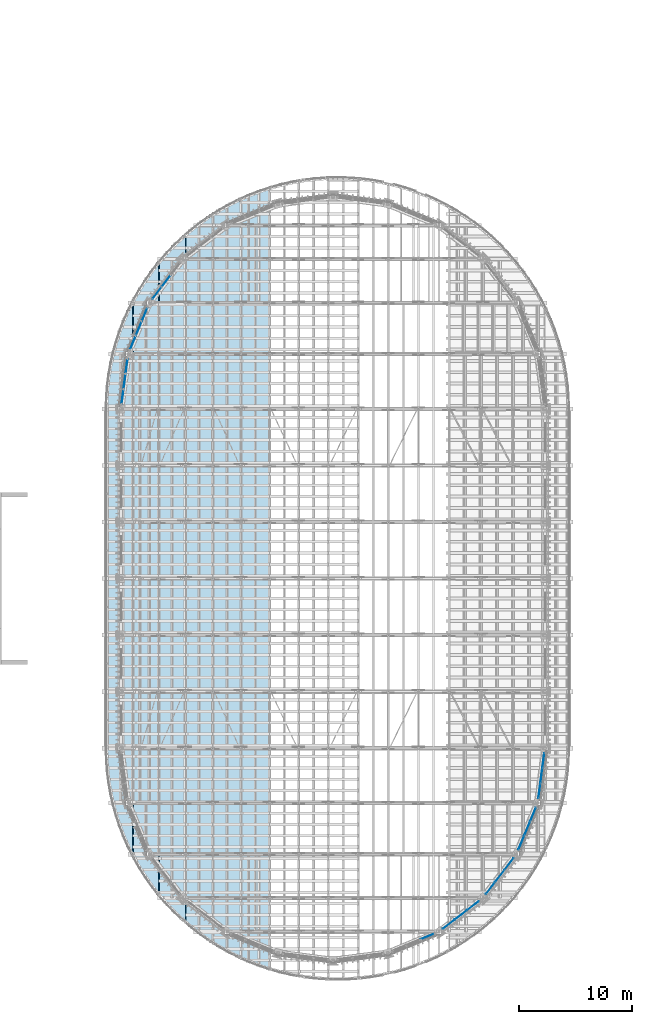
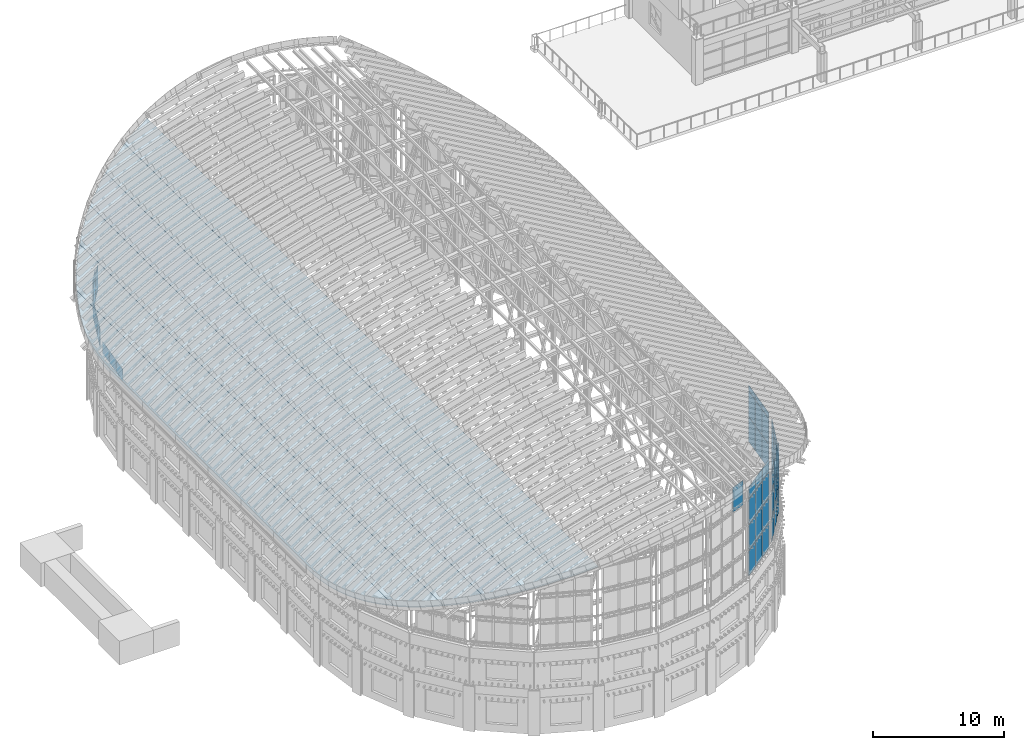
# One storey, part 47 of 105: 49 plates, 6 slabs, 8 elements without a shape of their own.
"""IFC4 building model written with IfcOpenShell, lengths in metres."""

from ifc_helpers import new_model, si_unit, direction, frame, origin, origin_2d, place, context, subcontext, project, spatial, polyline, rectangle, outline, extrude, material, layer, layer_set, type_object, element, aggregate, save


model = new_model("IFC4")

# Units and contexts
model_context = context("Model", 3, precision=1e-05, world=origin(), true_north=direction((0.0, 1.0)))
body_context = subcontext(model_context, "Body", "Model", "MODEL_VIEW")
ifc_project = project(units=[si_unit("LENGTHUNIT", "METRE"), si_unit("AREAUNIT", "SQUARE_METRE"), si_unit("VOLUMEUNIT", "CUBIC_METRE"), si_unit("PLANEANGLEUNIT", "RADIAN"), si_unit("MASSUNIT", "GRAM", prefix="KILO")], contexts=[model_context])

# Site, building, storey
site_placement = place(None, origin())
site = spatial("IfcSite", under=ifc_project, at=site_placement, CompositionType="ELEMENT")
building_placement = place(site_placement, origin())
building = spatial("IfcBuilding", under=site, at=building_placement, Name="Wasatch Bagh Community Centre", CompositionType="ELEMENT")
storey_placement = place(building_placement, frame((0.0, 0.0, 16.800048828125)))
storey = spatial("IfcBuildingStorey", under=building, at=storey_placement, Name="L04", CompositionType="ELEMENT", Elevation=16.800048828125)

# Curtain wall, plates
ifc_material_1 = material(Name="Aluminium curtain wall frame with low-iron glass", Category="aluminium")
ifc_layer_1 = layer(ifc_material_1, 0.10009765625)
ifc_layer_set_1 = layer_set([ifc_layer_1], Name="Aluminium curtain wall frame with low-iron glass")
curtain_wall_type_1 = type_object("IfcCurtainWallType", Name="MH end screen curtain wall 7", PredefinedType="NOTDEFINED", material=ifc_layer_set_1)
curtain_wall_1_placement = place(storey_placement, origin())
curtain_wall_1 = element("IfcCurtainWall", 1, at=curtain_wall_1_placement, inside=storey, type_object=curtain_wall_type_1, Name="End screen 9", PredefinedType="NOTDEFINED")
ifc_material_2 = material(Name="Low-iron insulated glass", Category="glass")
ifc_layer_2 = layer(ifc_material_2, 0.028076171875)
ifc_layer_set_2 = layer_set([ifc_layer_2], Name="Low-iron insulated glass")
plate_type_1 = type_object("IfcPlateType", Name="MH end screen panel 28", PredefinedType="CURTAIN_PANEL", material=ifc_layer_set_2)
plate_1_placement = place(storey_placement, frame((47.316650390625, 20.251953125, 7.760009765625), z_axis=(0.0, 0.0, 1.0), x_axis=(0.79335334027, 0.608761429036, 0.0)))
plate_1 = element("IfcPlate", 2, at=plate_1_placement, type_object=plate_type_1, Name="MH-CW7 panel 2.1", PredefinedType="CURTAIN_PANEL", context=body_context, shape_type="SweptSolid", body=[
    extrude(rectangle(XDim=1.31396484375, YDim=0.028076171875, at=origin_2d()), origin(), (0.0, 0.0, 1.0), 2.31005859375),
])
plate_2_placement = place(storey_placement, frame((47.316650390625, 20.251953125, 10.1298828125), z_axis=(0.0, 0.0, 1.0), x_axis=(0.79335334027, 0.608761429036, 0.0)))
plate_2 = element("IfcPlate", 3, at=plate_2_placement, type_object=plate_type_1, Name="MH-CW7 panel 2.2", PredefinedType="CURTAIN_PANEL", context=body_context, shape_type="SweptSolid", body=[
    extrude(rectangle(XDim=1.31396484375, YDim=0.028076171875, at=origin_2d()), origin(), (0.0, 0.0, 1.0), 2.340087890625),
])

ifc_layer_3 = layer(ifc_material_1, 0.10009765625)
ifc_layer_set_3 = layer_set([ifc_layer_3], Name="Aluminium curtain wall frame with low-iron glass")
curtain_wall_type_2 = type_object("IfcCurtainWallType", Name="MH end screen curtain wall 5", PredefinedType="NOTDEFINED", material=ifc_layer_set_3)
curtain_wall_2_placement = place(storey_placement, origin())
curtain_wall_2 = element("IfcCurtainWall", 4, at=curtain_wall_2_placement, inside=storey, type_object=curtain_wall_type_2, Name="End screen 10", PredefinedType="NOTDEFINED")
plate_3_placement = place(storey_placement, frame((50.748046875, 23.683349609375, 7.760009765625), z_axis=(0.0, 0.0, 1.0), x_axis=(0.608761429036, 0.79335334027, 0.0)))
plate_3 = element("IfcPlate", 5, at=plate_3_placement, type_object=plate_type_1, Name="MH-CW5 panel 2.1", PredefinedType="CURTAIN_PANEL", context=body_context, shape_type="SweptSolid", body=[
    extrude(rectangle(XDim=1.31396484375, YDim=0.028076171875, at=origin_2d()), origin(), (0.0, 0.0, 1.0), 2.31005859375),
])
plate_4_placement = place(storey_placement, frame((50.748046875, 23.683349609375, 10.1298828125), z_axis=(0.0, 0.0, 1.0), x_axis=(0.608761429036, 0.79335334027, 0.0)))
plate_4 = element("IfcPlate", 6, at=plate_4_placement, type_object=plate_type_1, Name="MH-CW5 panel 2.2", PredefinedType="CURTAIN_PANEL", context=body_context, shape_type="SweptSolid", body=[
    extrude(rectangle(XDim=1.31396484375, YDim=0.028076171875, at=origin_2d()), origin(), (0.0, 0.0, 1.0), 2.340087890625),
])
plate_5_placement = place(storey_placement, frame((50.748046875, 23.683349609375, 12.530029296875), z_axis=(0.0, 0.0, 1.0), x_axis=(0.608761429036, 0.79335334027, 0.0)))
plate_5 = element("IfcPlate", 7, at=plate_5_placement, type_object=plate_type_1, Name="MH-CW5 panel 2.3", PredefinedType="CURTAIN_PANEL", context=body_context, shape_type="SweptSolid", body=[
    extrude(rectangle(XDim=1.31396484375, YDim=0.028076171875, at=origin_2d()), origin(), (0.0, 0.0, 1.0), 1.7099609375),
])

ifc_layer_4 = layer(ifc_material_1, 0.10009765625)
ifc_layer_set_4 = layer_set([ifc_layer_4], Name="Aluminium curtain wall frame with low-iron glass")
curtain_wall_type_3 = type_object("IfcCurtainWallType", Name="MH end screen curtain wall 9", PredefinedType="NOTDEFINED", material=ifc_layer_set_4)
curtain_wall_3_placement = place(storey_placement, origin())
curtain_wall_3 = element("IfcCurtainWall", 8, at=curtain_wall_3_placement, inside=storey, type_object=curtain_wall_type_3, Name="End screen 11", PredefinedType="NOTDEFINED")
plate_6_placement = place(storey_placement, frame((53.174560546875, 27.885986328125, 7.760009765625), z_axis=(0.0, 0.0, 1.0), x_axis=(0.382683432188, 0.923879532585, 0.0)))
plate_6 = element("IfcPlate", 9, at=plate_6_placement, type_object=plate_type_1, Name="MH-CW9 panel 2.1", PredefinedType="CURTAIN_PANEL", context=body_context, shape_type="SweptSolid", body=[
    extrude(rectangle(XDim=1.31396484375, YDim=0.028076171875, at=origin_2d()), origin(), (0.0, 0.0, 1.0), 2.31005859375),
])
plate_7_placement = place(storey_placement, frame((53.174560546875, 27.885986328125, 10.1298828125), z_axis=(0.0, 0.0, 1.0), x_axis=(0.382683432188, 0.923879532585, 0.0)))
plate_7 = element("IfcPlate", 10, at=plate_7_placement, type_object=plate_type_1, Name="MH-CW9 panel 2.2", PredefinedType="CURTAIN_PANEL", context=body_context, shape_type="SweptSolid", body=[
    extrude(rectangle(XDim=1.31396484375, YDim=0.028076171875, at=origin_2d()), origin(), (0.0, 0.0, 1.0), 2.340087890625),
])
plate_8_placement = place(storey_placement, frame((53.174560546875, 27.885986328125, 12.52978515625), z_axis=(0.0, 0.0, 1.0), x_axis=(0.382683432188, 0.923879532585, 0.0)))
plate_8 = element("IfcPlate", 11, at=plate_8_placement, type_object=plate_type_1, Name="MH-CW9 panel 2.3", PredefinedType="CURTAIN_PANEL", context=body_context, shape_type="SweptSolid", body=[
    extrude(rectangle(XDim=1.31396484375, YDim=0.028076171875, at=origin_2d()), origin(), (0.0, 0.0, 1.0), 0.510009765625),
])

curtain_wall_4_placement = place(storey_placement, origin())
curtain_wall_4 = element("IfcCurtainWall", 12, at=curtain_wall_4_placement, inside=storey, type_object=curtain_wall_type_3, Name="End screen 12", PredefinedType="NOTDEFINED")
plate_9_placement = place(storey_placement, frame((54.4306640625, 32.573486328125, 7.760009765625), z_axis=(0.0, 0.0, 1.0), x_axis=(0.13052619222, 0.991444861374, 0.0)))
plate_9 = element("IfcPlate", 13, at=plate_9_placement, type_object=plate_type_1, Name="MH-CW9 panel 2.1", PredefinedType="CURTAIN_PANEL", context=body_context, shape_type="SweptSolid", body=[
    extrude(rectangle(XDim=1.31396484375, YDim=0.028076171875, at=origin_2d()), origin(), (0.0, 0.0, 1.0), 2.31005859375),
])
plate_10_placement = place(storey_placement, frame((54.4306640625, 32.573486328125, 10.1298828125), z_axis=(0.0, 0.0, 1.0), x_axis=(0.13052619222, 0.991444861374, 0.0)))
plate_10 = element("IfcPlate", 14, at=plate_10_placement, type_object=plate_type_1, Name="MH-CW9 panel 2.2", PredefinedType="CURTAIN_PANEL", context=body_context, shape_type="SweptSolid", body=[
    extrude(rectangle(XDim=1.31396484375, YDim=0.028076171875, at=origin_2d()), origin(), (0.0, 0.0, 1.0), 2.340087890625),
])
plate_11_placement = place(storey_placement, frame((54.4306640625, 32.573486328125, 12.52978515625), z_axis=(0.0, 0.0, 1.0), x_axis=(0.13052619222, 0.991444861374, 0.0)))
plate_11 = element("IfcPlate", 15, at=plate_11_placement, type_object=plate_type_1, Name="MH-CW9 panel 2.3", PredefinedType="CURTAIN_PANEL", context=body_context, shape_type="SweptSolid", body=[
    extrude(rectangle(XDim=1.31396484375, YDim=0.028076171875, at=origin_2d()), origin(), (0.0, 0.0, 1.0), 0.510009765625),
])
plate_12_placement = place(storey_placement, frame((54.60791015625, 33.9208984375, 7.760009765625), z_axis=(0.0, 0.0, 1.0), x_axis=(0.13052619222, 0.991444861374, 0.0)))
plate_12 = element("IfcPlate", 16, at=plate_12_placement, type_object=plate_type_1, Name="MH-CW9 panel 3.1", PredefinedType="CURTAIN_PANEL", context=body_context, shape_type="SweptSolid", body=[
    extrude(rectangle(XDim=1.283935546875, YDim=0.028076171875, at=origin_2d()), origin(), (0.0, 0.0, 1.0), 2.31005859375),
])
plate_13_placement = place(storey_placement, frame((54.60791015625, 33.9208984375, 10.1298828125), z_axis=(0.0, 0.0, 1.0), x_axis=(0.13052619222, 0.991444861374, 0.0)))
plate_13 = element("IfcPlate", 17, at=plate_13_placement, type_object=plate_type_1, Name="MH-CW9 panel 3.2", PredefinedType="CURTAIN_PANEL", context=body_context, shape_type="SweptSolid", body=[
    extrude(rectangle(XDim=1.283935546875, YDim=0.028076171875, at=origin_2d()), origin(), (0.0, 0.0, 1.0), 2.340087890625),
])
plate_14_placement = place(storey_placement, frame((54.60791015625, 33.9208984375, 12.52978515625), z_axis=(0.0, 0.0, 1.0), x_axis=(0.13052619222, 0.991444861374, 0.0)))
plate_14 = element("IfcPlate", 18, at=plate_14_placement, type_object=plate_type_1, Name="MH-CW9 panel 3.3", PredefinedType="CURTAIN_PANEL", context=body_context, shape_type="SweptSolid", body=[
    extrude(rectangle(XDim=1.283935546875, YDim=0.028076171875, at=origin_2d()), origin(), (0.0, 0.0, 1.0), 0.510009765625),
])

# Curtain wall, plate
ifc_layer_5 = layer(ifc_material_1, 0.10009765625)
ifc_layer_set_5 = layer_set([ifc_layer_5], Name="Aluminium curtain wall frame with low-iron glass")
curtain_wall_type_4 = type_object("IfcCurtainWallType", Name="MH end screen curtain wall 3", PredefinedType="NOTDEFINED", material=ifc_layer_set_5)
curtain_wall_5_placement = place(storey_placement, origin())
curtain_wall_5 = element("IfcCurtainWall", 19, at=curtain_wall_5_placement, inside=storey, type_object=curtain_wall_type_4, Name="End screen 28", PredefinedType="NOTDEFINED")
plate_15_placement = place(storey_placement, frame((21.251953125, 76.316650390625, 7.760009765625), z_axis=(0.0, 0.0, 1.0), x_axis=(-0.608761429036, -0.79335334027, 0.0)))
plate_15 = element("IfcPlate", 20, at=plate_15_placement, type_object=plate_type_1, Name="MH-CW3 panel 2.1", PredefinedType="CURTAIN_PANEL", context=body_context, shape_type="SweptSolid", body=[
    extrude(rectangle(XDim=1.31396484375, YDim=0.028076171875, at=origin_2d()), origin(), (0.0, 0.0, 1.0), 2.31005859375),
])

ifc_layer_6 = layer(ifc_material_1, 0.10009765625)
ifc_layer_set_6 = layer_set([ifc_layer_6], Name="Aluminium curtain wall frame with low-iron glass")
curtain_wall_type_5 = type_object("IfcCurtainWallType", Name="MH end screen curtain wall 2", PredefinedType="NOTDEFINED", material=ifc_layer_set_6)
curtain_wall_6_placement = place(storey_placement, origin())
curtain_wall_6 = element("IfcCurtainWall", 21, at=curtain_wall_6_placement, inside=storey, type_object=curtain_wall_type_5, Name="End screen 29", PredefinedType="NOTDEFINED")
plate_16_placement = place(storey_placement, frame((18.825439453125, 72.114013671875, 7.759765625), z_axis=(0.0, 0.0, 1.0), x_axis=(-0.382683432188, -0.923879532585, 0.0)))
plate_16 = element("IfcPlate", 22, at=plate_16_placement, type_object=plate_type_1, Name="MH-CW2 panel 2.1", PredefinedType="CURTAIN_PANEL", context=body_context, shape_type="SweptSolid", body=[
    extrude(rectangle(XDim=1.31396484375, YDim=0.028076171875, at=origin_2d()), origin(), (0.0, 0.0, 1.0), 1.679931640625),
])

# Curtain wall, plates
ifc_layer_7 = layer(ifc_material_1, 0.10009765625)
ifc_layer_set_7 = layer_set([ifc_layer_7], Name="Aluminium curtain wall frame with low-iron glass")
curtain_wall_type_6 = type_object("IfcCurtainWallType", Name="MH end screen curtain wall 1", PredefinedType="NOTDEFINED", material=ifc_layer_set_7)
curtain_wall_7_placement = place(storey_placement, origin())
curtain_wall_7 = element("IfcCurtainWall", 23, at=curtain_wall_7_placement, inside=storey, type_object=curtain_wall_type_6, Name="End screen 30", PredefinedType="NOTDEFINED")
plate_17_placement = place(storey_placement, frame((17.5693359375, 67.426513671875, 7.760009765625), z_axis=(0.0, 0.0, 1.0), x_axis=(-0.13052619222, -0.991444861374, 0.0)))
plate_17 = element("IfcPlate", 24, at=plate_17_placement, type_object=plate_type_1, Name="MH-CW1 panel 2.1", PredefinedType="CURTAIN_PANEL", context=body_context, shape_type="SweptSolid", body=[
    extrude(rectangle(XDim=1.31396484375, YDim=0.028076171875, at=origin_2d()), origin(), (0.0, 0.0, 1.0), 1.080078125),
])
plate_18_placement = place(storey_placement, frame((17.39208984375, 66.0791015625, 7.760009765625), z_axis=(0.0, 0.0, 1.0), x_axis=(-0.13052619222, -0.991444861374, 0.0)))
plate_18 = element("IfcPlate", 25, at=plate_18_placement, type_object=plate_type_1, Name="MH-CW1 panel 3.1", PredefinedType="CURTAIN_PANEL", context=body_context, shape_type="SweptSolid", body=[
    extrude(rectangle(XDim=1.283935546875, YDim=0.028076171875, at=origin_2d()), origin(), (0.0, 0.0, 1.0), 1.080078125),
])

# Curtain wall, plate
ifc_layer_8 = layer(ifc_material_1, 0.10009765625)
ifc_layer_set_8 = layer_set([ifc_layer_8], Name="Aluminium curtain wall frame with low-iron glass")
curtain_wall_type_7 = type_object("IfcCurtainWallType", Name="MH end screen curtain wall 8", PredefinedType="NOTDEFINED", material=ifc_layer_set_8)
curtain_wall_8_placement = place(storey_placement, origin())
curtain_wall_8 = element("IfcCurtainWall", 26, at=curtain_wall_8_placement, inside=storey, type_object=curtain_wall_type_7, Name="End screen 8", PredefinedType="NOTDEFINED")
ifc_material_3 = material(Name="Insulated aluminium spandrel panel", Category="aluminium")
ifc_layer_9 = layer(ifc_material_3, 0.0400390625)
ifc_layer_set_9 = layer_set([ifc_layer_9], Name="Insulated aluminium spandrel panel")
plate_type_2 = type_object("IfcPlateType", Name="MH end screen spandrel panel 40", PredefinedType="CURTAIN_PANEL", material=ifc_layer_set_9)
plate_19_placement = place(storey_placement, frame((44.369384765625, 18.345458984375, 14.929931640625), z_axis=(0.0, 0.0, 1.0), x_axis=(0.923879532585, 0.382683432188, 0.0)))
plate_19 = element("IfcPlate", 27, at=plate_19_placement, type_object=plate_type_2, Name="MH-CW8 spandrel 3.4", PredefinedType="CURTAIN_PANEL", context=body_context, shape_type="SweptSolid", body=[
    extrude(rectangle(XDim=1.283935546875, YDim=0.028076171875, at=origin_2d()), origin(), (0.0, 0.0, 1.0), 2.31005859375),
])
aggregate(curtain_wall_8, [plate_19])

# Plate
plate_20_placement = place(storey_placement, frame((46.238525390625, 19.424560546875, 7.760009765625), z_axis=(0.0, 0.0, 1.0), x_axis=(0.79335334027, 0.608761429036, 0.0)))
plate_20 = element("IfcPlate", 28, at=plate_20_placement, type_object=plate_type_2, Name="MH-CW7 spandrel 1.1", PredefinedType="CURTAIN_PANEL", context=body_context, shape_type="SweptSolid", body=[
    extrude(rectangle(XDim=1.283935546875, YDim=0.028076171875, at=origin_2d()), origin(), (0.0, 0.0, 1.0), 2.31005859375),
])

plate_21_placement = place(storey_placement, frame((46.238525390625, 19.424560546875, 10.1298828125), z_axis=(0.0, 0.0, 1.0), x_axis=(0.79335334027, 0.608761429036, 0.0)))
plate_21 = element("IfcPlate", 29, at=plate_21_placement, type_object=plate_type_2, Name="MH-CW7 spandrel 1.2", PredefinedType="CURTAIN_PANEL", context=body_context, shape_type="SweptSolid", body=[
    extrude(rectangle(XDim=1.283935546875, YDim=0.028076171875, at=origin_2d()), origin(), (0.0, 0.0, 1.0), 2.340087890625),
])

plate_22_placement = place(storey_placement, frame((46.238525390625, 19.424560546875, 12.52978515625), z_axis=(0.0, 0.0, 1.0), x_axis=(0.79335334027, 0.608761429036, 0.0)))
plate_22 = element("IfcPlate", 30, at=plate_22_placement, type_object=plate_type_2, Name="MH-CW7 spandrel 1.3", PredefinedType="CURTAIN_PANEL", context=body_context, shape_type="SweptSolid", body=[
    extrude(rectangle(XDim=1.283935546875, YDim=0.028076171875, at=origin_2d()), origin(), (0.0, 0.0, 1.0), 2.340087890625),
])

plate_23_placement = place(storey_placement, frame((46.238525390625, 19.424560546875, 14.9296875), z_axis=(0.0, 0.0, 1.0), x_axis=(0.79335334027, 0.608761429036, 0.0)))
plate_23 = element("IfcPlate", 31, at=plate_23_placement, type_object=plate_type_2, Name="MH-CW7 spandrel 1.4", PredefinedType="CURTAIN_PANEL", context=body_context, shape_type="SweptSolid", body=[
    extrude(rectangle(XDim=1.283935546875, YDim=0.028076171875, at=origin_2d()), origin(), (0.0, 0.0, 1.0), 1.110107421875),
])

plate_24_placement = place(storey_placement, frame((47.316650390625, 20.251953125, 12.52978515625), z_axis=(0.0, 0.0, 1.0), x_axis=(0.79335334027, 0.608761429036, 0.0)))
plate_24 = element("IfcPlate", 32, at=plate_24_placement, type_object=plate_type_2, Name="MH-CW7 spandrel 2.3", PredefinedType="CURTAIN_PANEL", context=body_context, shape_type="SweptSolid", body=[
    extrude(rectangle(XDim=1.31396484375, YDim=0.028076171875, at=origin_2d()), origin(), (0.0, 0.0, 1.0), 2.340087890625),
])

plate_25_placement = place(storey_placement, frame((47.316650390625, 20.251953125, 14.9296875), z_axis=(0.0, 0.0, 1.0), x_axis=(0.79335334027, 0.608761429036, 0.0)))
plate_25 = element("IfcPlate", 33, at=plate_25_placement, type_object=plate_type_2, Name="MH-CW7 spandrel 2.4", PredefinedType="CURTAIN_PANEL", context=body_context, shape_type="SweptSolid", body=[
    extrude(rectangle(XDim=1.31396484375, YDim=0.028076171875, at=origin_2d()), origin(), (0.0, 0.0, 1.0), 1.110107421875),
])

plate_26_placement = place(storey_placement, frame((48.394775390625, 21.0791015625, 7.760009765625), z_axis=(0.0, 0.0, 1.0), x_axis=(0.79335334027, 0.608761429036, 0.0)))
plate_26 = element("IfcPlate", 34, at=plate_26_placement, type_object=plate_type_2, Name="MH-CW7 spandrel 3.1", PredefinedType="CURTAIN_PANEL", context=body_context, shape_type="SweptSolid", body=[
    extrude(rectangle(XDim=1.283935546875, YDim=0.028076171875, at=origin_2d()), origin(), (0.0, 0.0, 1.0), 2.31005859375),
])

plate_27_placement = place(storey_placement, frame((48.394775390625, 21.0791015625, 10.1298828125), z_axis=(0.0, 0.0, 1.0), x_axis=(0.79335334027, 0.608761429036, 0.0)))
plate_27 = element("IfcPlate", 35, at=plate_27_placement, type_object=plate_type_2, Name="MH-CW7 spandrel 3.2", PredefinedType="CURTAIN_PANEL", context=body_context, shape_type="SweptSolid", body=[
    extrude(rectangle(XDim=1.283935546875, YDim=0.028076171875, at=origin_2d()), origin(), (0.0, 0.0, 1.0), 2.340087890625),
])

plate_28_placement = place(storey_placement, frame((48.394775390625, 21.0791015625, 12.52978515625), z_axis=(0.0, 0.0, 1.0), x_axis=(0.79335334027, 0.608761429036, 0.0)))
plate_28 = element("IfcPlate", 36, at=plate_28_placement, type_object=plate_type_2, Name="MH-CW7 spandrel 3.3", PredefinedType="CURTAIN_PANEL", context=body_context, shape_type="SweptSolid", body=[
    extrude(rectangle(XDim=1.283935546875, YDim=0.028076171875, at=origin_2d()), origin(), (0.0, 0.0, 1.0), 2.340087890625),
])

plate_29_placement = place(storey_placement, frame((48.394775390625, 21.0791015625, 14.9296875), z_axis=(0.0, 0.0, 1.0), x_axis=(0.79335334027, 0.608761429036, 0.0)))
plate_29 = element("IfcPlate", 37, at=plate_29_placement, type_object=plate_type_2, Name="MH-CW7 spandrel 3.4", PredefinedType="CURTAIN_PANEL", context=body_context, shape_type="SweptSolid", body=[
    extrude(rectangle(XDim=1.283935546875, YDim=0.028076171875, at=origin_2d()), origin(), (0.0, 0.0, 1.0), 1.110107421875),
])

aggregate(curtain_wall_1, [plate_20, plate_21, plate_22, plate_23, plate_1, plate_2, plate_24, plate_25, plate_26, plate_27, plate_28, plate_29])

plate_30_placement = place(storey_placement, frame((49.9208984375, 22.605224609375, 7.760009765625), z_axis=(0.0, 0.0, 1.0), x_axis=(0.608761429036, 0.79335334027, 0.0)))
plate_30 = element("IfcPlate", 38, at=plate_30_placement, type_object=plate_type_2, Name="MH-CW5 spandrel 1.1", PredefinedType="CURTAIN_PANEL", context=body_context, shape_type="SweptSolid", body=[
    extrude(rectangle(XDim=1.283935546875, YDim=0.028076171875, at=origin_2d()), origin(), (0.0, 0.0, 1.0), 2.31005859375),
])

plate_31_placement = place(storey_placement, frame((49.9208984375, 22.605224609375, 10.1298828125), z_axis=(0.0, 0.0, 1.0), x_axis=(0.608761429036, 0.79335334027, 0.0)))
plate_31 = element("IfcPlate", 39, at=plate_31_placement, type_object=plate_type_2, Name="MH-CW5 spandrel 1.2", PredefinedType="CURTAIN_PANEL", context=body_context, shape_type="SweptSolid", body=[
    extrude(rectangle(XDim=1.283935546875, YDim=0.028076171875, at=origin_2d()), origin(), (0.0, 0.0, 1.0), 2.340087890625),
])

plate_32_placement = place(storey_placement, frame((49.9208984375, 22.605224609375, 12.530029296875), z_axis=(0.0, 0.0, 1.0), x_axis=(0.608761429036, 0.79335334027, 0.0)))
plate_32 = element("IfcPlate", 40, at=plate_32_placement, type_object=plate_type_2, Name="MH-CW5 spandrel 1.3", PredefinedType="CURTAIN_PANEL", context=body_context, shape_type="SweptSolid", body=[
    extrude(rectangle(XDim=1.283935546875, YDim=0.028076171875, at=origin_2d()), origin(), (0.0, 0.0, 1.0), 1.7099609375),
])

plate_33_placement = place(storey_placement, frame((51.575439453125, 24.761474609375, 7.760009765625), z_axis=(0.0, 0.0, 1.0), x_axis=(0.608761429036, 0.79335334027, 0.0)))
plate_33 = element("IfcPlate", 41, at=plate_33_placement, type_object=plate_type_2, Name="MH-CW5 spandrel 3.1", PredefinedType="CURTAIN_PANEL", context=body_context, shape_type="SweptSolid", body=[
    extrude(rectangle(XDim=1.283935546875, YDim=0.028076171875, at=origin_2d()), origin(), (0.0, 0.0, 1.0), 2.31005859375),
])

plate_34_placement = place(storey_placement, frame((51.575439453125, 24.761474609375, 10.1298828125), z_axis=(0.0, 0.0, 1.0), x_axis=(0.608761429036, 0.79335334027, 0.0)))
plate_34 = element("IfcPlate", 42, at=plate_34_placement, type_object=plate_type_2, Name="MH-CW5 spandrel 3.2", PredefinedType="CURTAIN_PANEL", context=body_context, shape_type="SweptSolid", body=[
    extrude(rectangle(XDim=1.283935546875, YDim=0.028076171875, at=origin_2d()), origin(), (0.0, 0.0, 1.0), 2.340087890625),
])

plate_35_placement = place(storey_placement, frame((51.575439453125, 24.761474609375, 12.530029296875), z_axis=(0.0, 0.0, 1.0), x_axis=(0.608761429036, 0.79335334027, 0.0)))
plate_35 = element("IfcPlate", 43, at=plate_35_placement, type_object=plate_type_2, Name="MH-CW5 spandrel 3.3", PredefinedType="CURTAIN_PANEL", context=body_context, shape_type="SweptSolid", body=[
    extrude(rectangle(XDim=1.283935546875, YDim=0.028076171875, at=origin_2d()), origin(), (0.0, 0.0, 1.0), 1.7099609375),
])

aggregate(curtain_wall_2, [plate_30, plate_31, plate_32, plate_3, plate_4, plate_5, plate_33, plate_34, plate_35])

plate_36_placement = place(storey_placement, frame((52.654541015625, 26.630615234375, 7.760009765625), z_axis=(0.0, 0.0, 1.0), x_axis=(0.382683432188, 0.923879532585, 0.0)))
plate_36 = element("IfcPlate", 44, at=plate_36_placement, type_object=plate_type_2, Name="MH-CW9 spandrel 1.1", PredefinedType="CURTAIN_PANEL", context=body_context, shape_type="SweptSolid", body=[
    extrude(rectangle(XDim=1.283935546875, YDim=0.028076171875, at=origin_2d()), origin(), (0.0, 0.0, 1.0), 2.31005859375),
])

plate_37_placement = place(storey_placement, frame((52.654541015625, 26.630615234375, 10.1298828125), z_axis=(0.0, 0.0, 1.0), x_axis=(0.382683432188, 0.923879532585, 0.0)))
plate_37 = element("IfcPlate", 45, at=plate_37_placement, type_object=plate_type_2, Name="MH-CW9 spandrel 1.2", PredefinedType="CURTAIN_PANEL", context=body_context, shape_type="SweptSolid", body=[
    extrude(rectangle(XDim=1.283935546875, YDim=0.028076171875, at=origin_2d()), origin(), (0.0, 0.0, 1.0), 2.340087890625),
])

plate_38_placement = place(storey_placement, frame((52.654541015625, 26.630615234375, 12.52978515625), z_axis=(0.0, 0.0, 1.0), x_axis=(0.382683432188, 0.923879532585, 0.0)))
plate_38 = element("IfcPlate", 46, at=plate_38_placement, type_object=plate_type_2, Name="MH-CW9 spandrel 1.3", PredefinedType="CURTAIN_PANEL", context=body_context, shape_type="SweptSolid", body=[
    extrude(rectangle(XDim=1.283935546875, YDim=0.028076171875, at=origin_2d()), origin(), (0.0, 0.0, 1.0), 0.510009765625),
])

plate_39_placement = place(storey_placement, frame((53.694580078125, 29.1416015625, 7.760009765625), z_axis=(0.0, 0.0, 1.0), x_axis=(0.382683432188, 0.923879532585, 0.0)))
plate_39 = element("IfcPlate", 47, at=plate_39_placement, type_object=plate_type_2, Name="MH-CW9 spandrel 3.1", PredefinedType="CURTAIN_PANEL", context=body_context, shape_type="SweptSolid", body=[
    extrude(rectangle(XDim=1.283935546875, YDim=0.028076171875, at=origin_2d()), origin(), (0.0, 0.0, 1.0), 2.31005859375),
])

plate_40_placement = place(storey_placement, frame((53.694580078125, 29.1416015625, 10.1298828125), z_axis=(0.0, 0.0, 1.0), x_axis=(0.382683432188, 0.923879532585, 0.0)))
plate_40 = element("IfcPlate", 48, at=plate_40_placement, type_object=plate_type_2, Name="MH-CW9 spandrel 3.2", PredefinedType="CURTAIN_PANEL", context=body_context, shape_type="SweptSolid", body=[
    extrude(rectangle(XDim=1.283935546875, YDim=0.028076171875, at=origin_2d()), origin(), (0.0, 0.0, 1.0), 2.340087890625),
])

plate_41_placement = place(storey_placement, frame((53.694580078125, 29.1416015625, 12.52978515625), z_axis=(0.0, 0.0, 1.0), x_axis=(0.382683432188, 0.923879532585, 0.0)))
plate_41 = element("IfcPlate", 49, at=plate_41_placement, type_object=plate_type_2, Name="MH-CW9 spandrel 3.3", PredefinedType="CURTAIN_PANEL", context=body_context, shape_type="SweptSolid", body=[
    extrude(rectangle(XDim=1.283935546875, YDim=0.028076171875, at=origin_2d()), origin(), (0.0, 0.0, 1.0), 0.510009765625),
])

aggregate(curtain_wall_3, [plate_36, plate_37, plate_38, plate_6, plate_7, plate_8, plate_39, plate_40, plate_41])

plate_42_placement = place(storey_placement, frame((54.253173828125, 31.226318359375, 7.760009765625), z_axis=(0.0, 0.0, 1.0), x_axis=(0.13052619222, 0.991444861374, 0.0)))
plate_42 = element("IfcPlate", 50, at=plate_42_placement, type_object=plate_type_2, Name="MH-CW9 spandrel 1.1", PredefinedType="CURTAIN_PANEL", context=body_context, shape_type="SweptSolid", body=[
    extrude(rectangle(XDim=1.283935546875, YDim=0.028076171875, at=origin_2d()), origin(), (0.0, 0.0, 1.0), 2.31005859375),
])

plate_43_placement = place(storey_placement, frame((54.253173828125, 31.226318359375, 10.1298828125), z_axis=(0.0, 0.0, 1.0), x_axis=(0.13052619222, 0.991444861374, 0.0)))
plate_43 = element("IfcPlate", 51, at=plate_43_placement, type_object=plate_type_2, Name="MH-CW9 spandrel 1.2", PredefinedType="CURTAIN_PANEL", context=body_context, shape_type="SweptSolid", body=[
    extrude(rectangle(XDim=1.283935546875, YDim=0.028076171875, at=origin_2d()), origin(), (0.0, 0.0, 1.0), 2.340087890625),
])

plate_44_placement = place(storey_placement, frame((54.253173828125, 31.226318359375, 12.52978515625), z_axis=(0.0, 0.0, 1.0), x_axis=(0.13052619222, 0.991444861374, 0.0)))
plate_44 = element("IfcPlate", 52, at=plate_44_placement, type_object=plate_type_2, Name="MH-CW9 spandrel 1.3", PredefinedType="CURTAIN_PANEL", context=body_context, shape_type="SweptSolid", body=[
    extrude(rectangle(XDim=1.283935546875, YDim=0.028076171875, at=origin_2d()), origin(), (0.0, 0.0, 1.0), 0.510009765625),
])

aggregate(curtain_wall_4, [plate_42, plate_43, plate_44, plate_9, plate_10, plate_11, plate_12, plate_13, plate_14])

plate_45_placement = place(storey_placement, frame((20.424560546875, 75.238525390625, 7.760009765625), z_axis=(0.0, 0.0, 1.0), x_axis=(-0.608761429036, -0.79335334027, 0.0)))
plate_45 = element("IfcPlate", 53, at=plate_45_placement, type_object=plate_type_2, Name="MH-CW3 spandrel 3.1", PredefinedType="CURTAIN_PANEL", context=body_context, shape_type="SweptSolid", body=[
    extrude(rectangle(XDim=1.283935546875, YDim=0.028076171875, at=origin_2d()), origin(), (0.0, 0.0, 1.0), 2.31005859375),
])

plate_46_placement = place(storey_placement, frame((20.424560546875, 75.238525390625, 10.1298828125), z_axis=(0.0, 0.0, 1.0), x_axis=(-0.608761429036, -0.79335334027, 0.0)))
plate_46 = element("IfcPlate", 54, at=plate_46_placement, type_object=plate_type_2, Name="MH-CW3 spandrel 3.2", PredefinedType="CURTAIN_PANEL", context=body_context, shape_type="SweptSolid", body=[
    extrude(rectangle(XDim=1.283935546875, YDim=0.028076171875, at=origin_2d()), origin(), (0.0, 0.0, 1.0), 0.510009765625),
])

aggregate(curtain_wall_5, [plate_15, plate_45, plate_46])

plate_47_placement = place(storey_placement, frame((19.345458984375, 73.369384765625, 7.759765625), z_axis=(0.0, 0.0, 1.0), x_axis=(-0.382683432188, -0.923879532585, 0.0)))
plate_47 = element("IfcPlate", 55, at=plate_47_placement, type_object=plate_type_2, Name="MH-CW2 spandrel 1.1", PredefinedType="CURTAIN_PANEL", context=body_context, shape_type="SweptSolid", body=[
    extrude(rectangle(XDim=1.283935546875, YDim=0.028076171875, at=origin_2d()), origin(), (0.0, 0.0, 1.0), 1.679931640625),
])

plate_48_placement = place(storey_placement, frame((18.305419921875, 70.8583984375, 7.759765625), z_axis=(0.0, 0.0, 1.0), x_axis=(-0.382683432188, -0.923879532585, 0.0)))
plate_48 = element("IfcPlate", 56, at=plate_48_placement, type_object=plate_type_2, Name="MH-CW2 spandrel 3.1", PredefinedType="CURTAIN_PANEL", context=body_context, shape_type="SweptSolid", body=[
    extrude(rectangle(XDim=1.283935546875, YDim=0.028076171875, at=origin_2d()), origin(), (0.0, 0.0, 1.0), 1.679931640625),
])

aggregate(curtain_wall_6, [plate_47, plate_16, plate_48])

plate_49_placement = place(storey_placement, frame((17.746826171875, 68.773681640625, 7.760009765625), z_axis=(0.0, 0.0, 1.0), x_axis=(-0.13052619222, -0.991444861374, 0.0)))
plate_49 = element("IfcPlate", 57, at=plate_49_placement, type_object=plate_type_2, Name="MH-CW1 spandrel 1.1", PredefinedType="CURTAIN_PANEL", context=body_context, shape_type="SweptSolid", body=[
    extrude(rectangle(XDim=1.283935546875, YDim=0.028076171875, at=origin_2d()), origin(), (0.0, 0.0, 1.0), 1.080078125),
])

aggregate(curtain_wall_7, [plate_49, plate_17, plate_18])

# Slabs
ifc_material_4 = material(Name="ASTM A653 Grade 50 steel roof deck assembly", Category="steel")
ifc_layer_10 = layer(ifc_material_4, 0.139892578125)
ifc_layer_set_10 = layer_set([ifc_layer_10], Name="ASTM A653 Grade 50 steel roof deck assembly")
slab_type = type_object("IfcSlabType", Name="MH roof deck", PredefinedType="ROOF", material=ifc_layer_set_10)
slab_1_placement = place(storey_placement, frame((16.074462890625, 65.99853515625, 9.091064453125), z_axis=(-0.559578460237, 0.0, 0.828777380748), x_axis=(0.073458016418, 0.996064244606, 0.049597786661)))
element("IfcSlab", 58, at=slab_1_placement, inside=storey, type_object=slab_type, Name="Roof deck 1", PredefinedType="ROOF", context=body_context, shape_type="SweptSolid", body=[
    extrude(outline(polyline([(0.0, 0.0), (1.0000296219789921, -1.734723475976807e-17), (2.000660338644342, -0.059090069788798785), (2.9989260160227165, -0.1769907179647112), (3.9931243958835894, -0.3538534189829934), (4.980460329324866, -0.5885657240406381), (5.958721439284134, -0.8810553804092971), (6.925391624778601, -1.2305913838259706), (7.878168379983833, -1.6360886214949317), (8.437189747515992, -1.910818852847583), (-39.838367310752666, -6.206591125495724), (-39.33663862091891, -5.8374706693106075), (-38.47043086693177, -5.270112156596522), (-37.58066686216227, -4.755382440119089), (-36.66942133623589, -4.294756138416122), (-35.739041783114196, -3.8893970399084967), (-34.79169306118472, -3.539766903066648), (-33.82992997598416, -3.247454239267246), (-32.855454785743035, -3.012610522965545), (-31.871137670421273, -2.8360345865526817), (-30.89928525567018, -2.720457940925239), (-0.9769900794558047, -0.057839966432935645), (0.0, 0.0)])), origin(), (0.0, 0.0, -1.0), 0.139892578125),
])
slab_2_placement = place(storey_placement, frame((18.452880859375, 74.593017578125, 10.666259765625), z_axis=(-0.515999868763, 0.0, 0.856588661749), x_axis=(0.47264734882, 0.833990589932, 0.284717719079)))
element("IfcSlab", 59, at=slab_2_placement, inside=storey, type_object=slab_type, Name="Roof deck 2", PredefinedType="ROOF", context=body_context, shape_type="SweptSolid", body=[
    extrude(outline(polyline([(0.0, 0.0), (1.0418540627003214, 2.7755575615628914e-17), (2.089831558393864, -0.054386352917841996), (3.1414806888226035, -0.16387787881501553), (4.026586159812455, -0.3017234745830335), (-42.31771710085975, -30.963697511125037), (-42.098436595337446, -30.095176260408234), (-41.78792824367431, -29.084464208772236), (-41.42813939688904, -28.098681934335964), (-41.020690476401015, -27.139804848803983), (-40.84426879555608, -26.77949145449435), (-0.4006118474433201, -0.021459246937579043), (0.0, 0.0)])), origin(), (0.0, 0.0, -1.0), 0.139892578125),
])
slab_3_placement = place(storey_placement, frame((20.578857421875, 77.7939453125, 11.931640625), z_axis=(-0.471133209733, 0.0, 0.882062071901), x_axis=(0.612586410457, 0.719498939166, 0.327198970448)))
element("IfcSlab", 60, at=slab_3_placement, inside=storey, type_object=slab_type, Name="Roof deck 3", PredefinedType="ROOF", context=body_context, shape_type="SweptSolid", body=[
    extrude(outline(polyline([(0.0, 0.0), (1.2123915764718636, 0.0), (2.275302478699438, -0.059575204586601704), (3.3403485755794926, -0.17128082792192073), (3.630332049065902, -0.2157858157827019), (-39.90813671649686, -42.241122665628154), (-39.9423608014517, -41.949746927364416), (-40.01633926777189, -40.88141714621766), (-40.038295405962295, -39.81706442316409), (-39.99542833514938, -38.605430918782574), (0.0, 0.0)])), origin(), (0.0, 0.0, -1.0), 0.139892578125),
])
slab_4_placement = place(storey_placement, frame((23.489990234375, 80.730712890625, 13.438232421875), z_axis=(-0.424966780872, 0.0, 0.905208945578), x_axis=(0.739378497088, 0.576914939568, 0.347114664839)))
element("IfcSlab", 61, at=slab_4_placement, inside=storey, type_object=slab_type, Name="Roof deck 4", PredefinedType="ROOF", context=body_context, shape_type="SweptSolid", body=[
    extrude(outline(polyline([(0.0, 0.0), (1.0651517424479113, 2.7755575615628914e-17), (2.133853572081881, -0.05062992742623554), (2.483679423026779, -0.08370403639533613), (-34.54873844097602, -52.514718623295785), (-34.696869420470414, -52.19608209747451), (-35.101893712203, -51.205808239735816), (-35.45801474034796, -50.20195264865072), (-35.6776200272202, -49.47355866310102), (-0.7598996492214909, -0.036562321045935375), (0.0, 0.0)])), origin(), (0.0, 0.0, -1.0), 0.139892578125),
])
slab_5_placement = place(storey_placement, frame((25.93798828125, 82.454833984375, 14.54150390625), z_axis=(-0.377720683146, 0.0, 0.925919589124), x_axis=(0.820024869774, 0.464385971256, 0.334521871711)))
element("IfcSlab", 62, at=slab_5_placement, inside=storey, type_object=slab_type, Name="Roof deck 5", PredefinedType="ROOF", context=body_context, shape_type="SweptSolid", body=[
    extrude(outline(polyline([(0.0, 0.0), (1.0598672881277615, -1.3877787807814457e-17), (2.3039101310490055, -0.06680121643125639), (-28.77797805740727, -59.34323313251889), (-29.54040185592011, -58.35793371152976), (-30.143139203592447, -57.48613880550874), (-30.51419690521485, -56.89075165608963), (-0.700753601137381, -0.03337762903058451), (0.0, 0.0)])), origin(), (0.0, 0.0, -1.0), 0.139892578125),
])
slab_6_placement = place(storey_placement, frame((28.6123046875, 83.801025390625, 15.57861328125), z_axis=(-0.329439748052, 0.0, 0.94417660022), x_axis=(0.887195962738, 0.342135997592, 0.309558205922)))
element("IfcSlab", 63, at=slab_6_placement, inside=storey, type_object=slab_type, Name="Roof deck 6", PredefinedType="ROOF", context=body_context, shape_type="SweptSolid", body=[
    extrude(outline(polyline([(0.0, 0.0), (1.0503864034456398, 0.0), (1.988945016029413, -0.04398394230150596), (-21.577509462641384, -64.76745530561334), (-22.324618928135074, -64.19767087005434), (-23.12909508331143, -63.52229711257176), (-23.760542173487863, -62.9392846824691), (-0.8584797174848326, -0.04051537996447116), (0.0, 0.0)])), origin(), (0.0, 0.0, -1.0), 0.139892578125),
])

save(model, "model.ifc")
